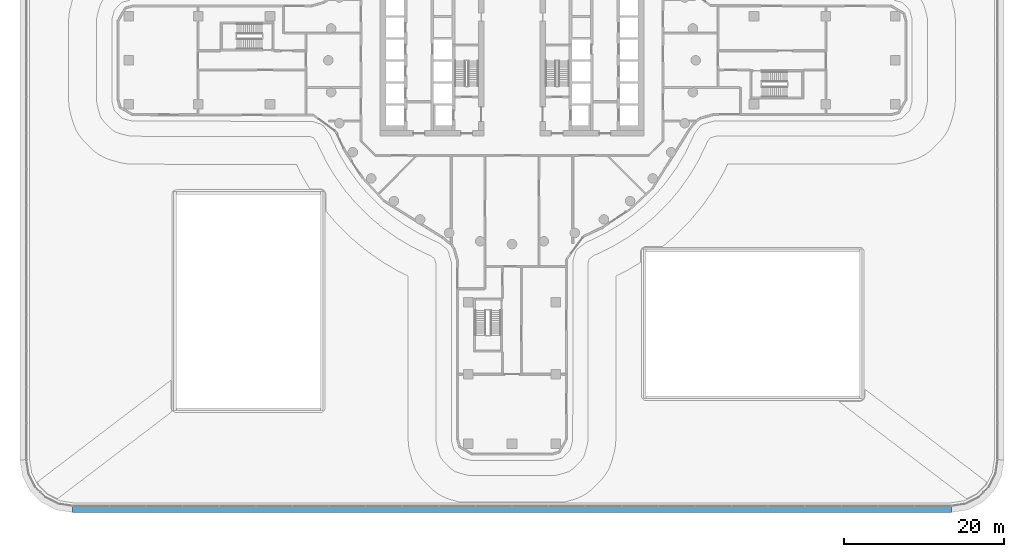
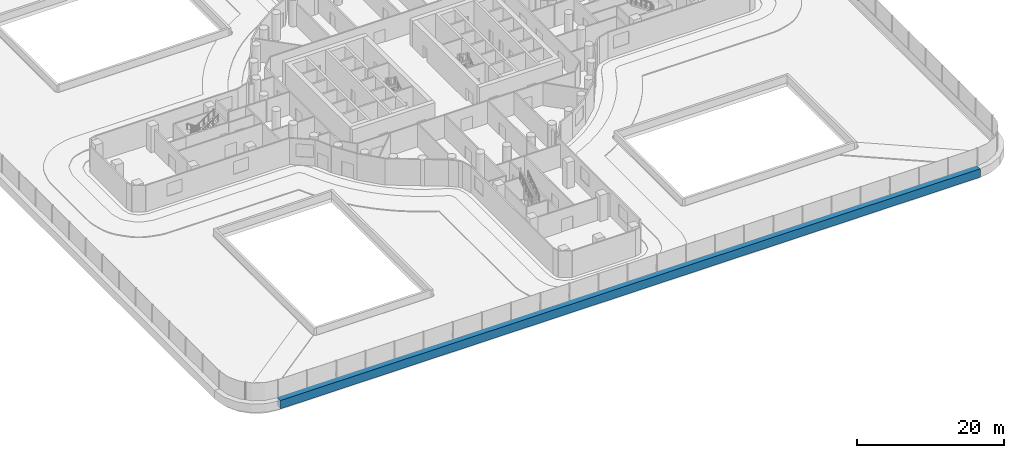
# One storey, part 4 of 37: 1 member, 1 element without a shape of its own.
"""IFC4 building model written with IfcOpenShell, lengths in metres."""

from ifc_helpers import new_model, si_unit, direction, frame, origin, place, context, subcontext, project, spatial, polyline, outline, extrude, material, layer, layer_set, type_object, element, aggregate, save


model = new_model("IFC4")

# Units and contexts
model_context = context("Model", 3, precision=1e-05, world=origin(), true_north=direction((0.0, 1.0)))
body_context = subcontext(model_context, "Body", "Model", "MODEL_VIEW")
ifc_project = project(units=[si_unit("LENGTHUNIT", "METRE"), si_unit("AREAUNIT", "SQUARE_METRE"), si_unit("VOLUMEUNIT", "CUBIC_METRE"), si_unit("PLANEANGLEUNIT", "RADIAN"), si_unit("MASSUNIT", "GRAM", prefix="KILO")], contexts=[model_context])

# Site, building, storey
site_placement = place(None, origin())
site = spatial("IfcSite", under=ifc_project, at=site_placement, CompositionType="ELEMENT")
building_placement = place(site_placement, origin())
building = spatial("IfcBuilding", under=site, at=building_placement, Name="Tamarind Cross Interchange Tower", CompositionType="ELEMENT")
storey_placement = place(building_placement, frame((0.0, 0.0, 29.5)))
storey = spatial("IfcBuildingStorey", under=building, at=storey_placement, Name="L05", CompositionType="ELEMENT", Elevation=29.5)

# Curtain wall, member
ifc_material_1 = material(Name="Aluminium 6063-T6", Category="aluminium")
ifc_layer = layer(ifc_material_1, 0.179931640625)
ifc_layer_set = layer_set([ifc_layer], Name="Aluminium 6063-T6")
curtain_wall_type = type_object("IfcCurtainWallType", Name="Sky lobby curtain wall, fire-resisting glazing", PredefinedType="NOTDEFINED", material=ifc_layer_set)
curtain_wall_placement = place(storey_placement, origin())
curtain_wall = element("IfcCurtainWall", 1, at=curtain_wall_placement, inside=storey, type_object=curtain_wall_type, Name="CWS-L05-06", PredefinedType="NOTDEFINED")
ifc_material_2 = material(Name="Aluminium and insulated spandrel panel", Category="aluminium")
member_type = type_object("IfcMemberType", Name="Floor-edge blade transom", PredefinedType="USERDEFINED", material=ifc_material_2)
member_placement = place(storey_placement, origin())
member = element("IfcMember", 2, at=member_placement, type_object=member_type, Name="CWT-L05-06", ObjectType="TRANSOM", PredefinedType="USERDEFINED", context=body_context, shape_type="SweptSolid", body=[
    extrude(outline(polyline([(-54.976318359375, -55.699951171875), (54.976318359375, -55.699951171875), (55.047119140625, -56.60009765625), (-55.047119140625, -56.60009765625), (-54.976318359375, -55.699951171875)])), origin(), (0.0, 0.0, 1.0), 1.39990234375),
])
aggregate(curtain_wall, [member])

save(model, "model.ifc")
